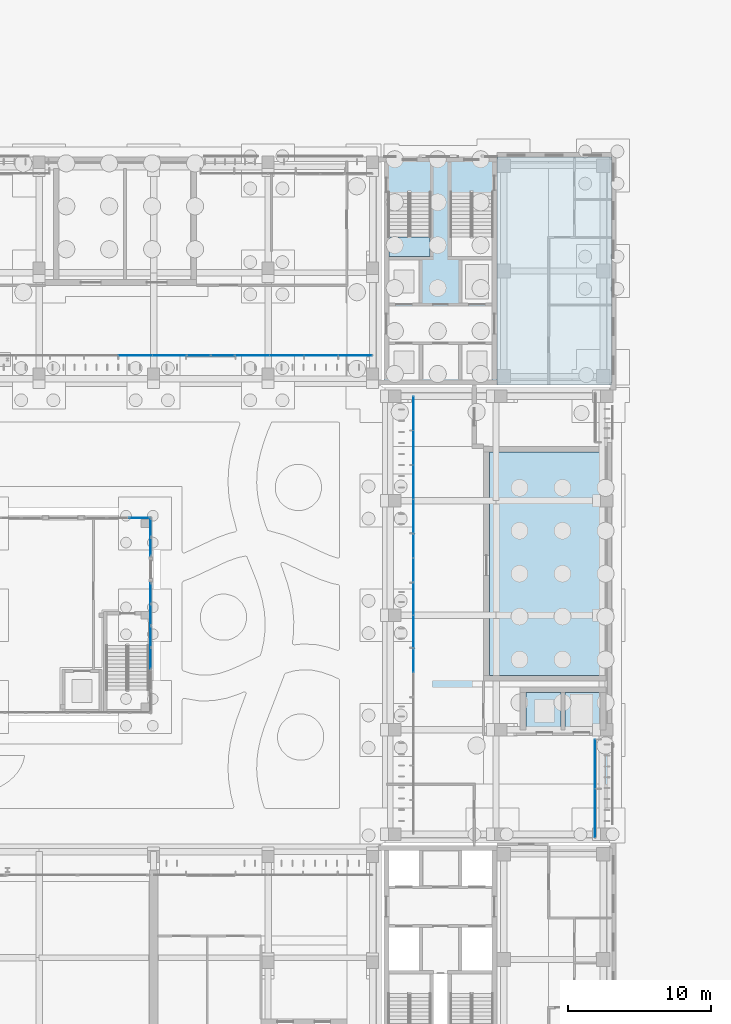
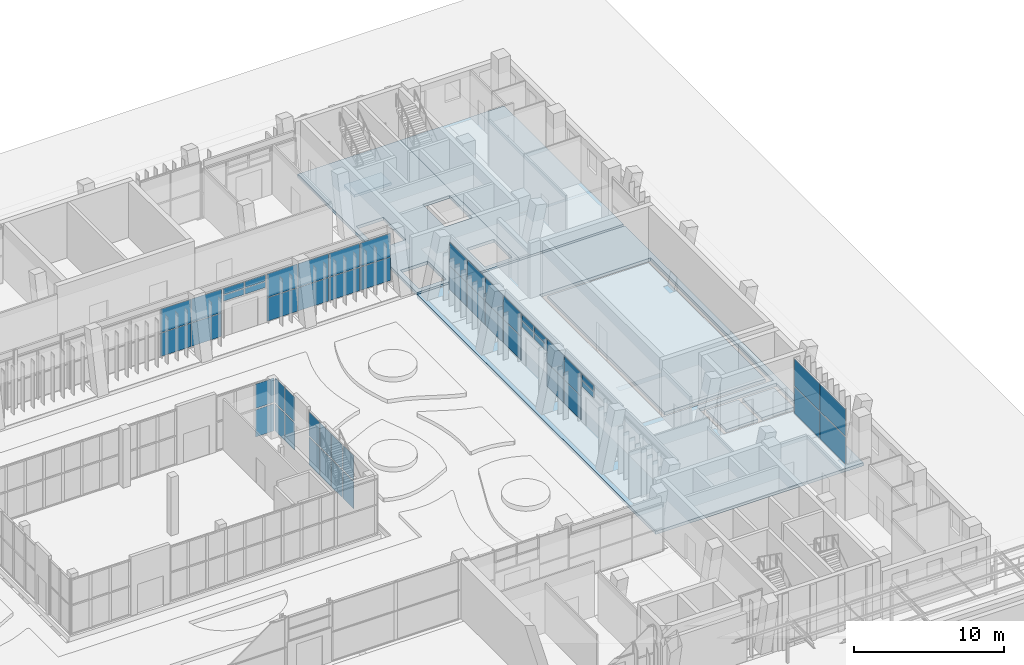
# One storey, part 100 of 144: 52 plates, 7 slabs, 12 elements without a shape of their own.
"""IFC4 building model written with IfcOpenShell, lengths in metres."""

from ifc_helpers import new_model, si_unit, direction, frame, origin, origin_2d, place, context, subcontext, project, spatial, polyline, rectangle, outline, extrude, material, layer, layer_set, type_object, element, aggregate, save


model = new_model("IFC4")

# Units and contexts
model_context = context("Model", 3, precision=1e-05, world=origin(), true_north=direction((0.0, 1.0)))
body_context = subcontext(model_context, "Body", "Model", "MODEL_VIEW")
ifc_project = project(units=[si_unit("LENGTHUNIT", "METRE"), si_unit("AREAUNIT", "SQUARE_METRE"), si_unit("VOLUMEUNIT", "CUBIC_METRE"), si_unit("PLANEANGLEUNIT", "RADIAN"), si_unit("MASSUNIT", "GRAM", prefix="KILO")], contexts=[model_context])

# Site, building, storey
site_placement = place(None, origin())
site = spatial("IfcSite", under=ifc_project, at=site_placement, CompositionType="ELEMENT")
building_placement = place(site_placement, origin())
building = spatial("IfcBuilding", under=site, at=building_placement, Name="Lantern Court Media Centre", CompositionType="ELEMENT")
storey_placement = place(building_placement, origin())
storey = spatial("IfcBuildingStorey", under=building, at=storey_placement, Name="L00", CompositionType="ELEMENT", Elevation=0.0)

# Slab
ifc_material_1 = material(Name="Concrete C40", Category="concrete")
ifc_layer_1 = layer(ifc_material_1, 0.25)
ifc_layer_set_1 = layer_set([ifc_layer_1], Name="Concrete C40")
slab_type_1 = type_object("IfcSlabType", Name="Core floor slab 250", PredefinedType="FLOOR", material=ifc_layer_set_1)
slab_1_placement = place(storey_placement, frame((0.0, 0.0, -0.25)))
element("IfcSlab", 1, at=slab_1_placement, inside=storey, type_object=slab_type_1, Name="L00 NE core ground floor", PredefinedType="FLOOR", context=body_context, shape_type="SweptSolid", body=[
    extrude(outline(polyline([(88.0, 112.0), (80.10009765625, 112.0), (80.10009765625, 96.10009765625), (88.0, 96.10009765625), (88.0, 112.0)]), holes=[polyline([(87.64990234375, 104.800048828125), (85.550048828125, 104.800048828125), (85.550048828125, 101.800048828125), (87.64990234375, 101.800048828125), (87.64990234375, 104.800048828125)]), polyline([(82.550048828125, 104.800048828125), (80.449951171875, 104.800048828125), (80.449951171875, 101.800048828125), (82.550048828125, 101.800048828125), (82.550048828125, 104.800048828125)]), polyline([(87.64990234375, 98.89990234375), (85.550048828125, 98.89990234375), (85.550048828125, 96.449951171875), (87.64990234375, 96.449951171875), (87.64990234375, 98.89990234375)]), polyline([(82.550048828125, 98.89990234375), (80.449951171875, 98.89990234375), (80.449951171875, 96.449951171875), (82.550048828125, 96.449951171875), (82.550048828125, 98.89990234375)])]), origin(), (0.0, 0.0, 1.0), 0.25),
])

# Curtain wall, plates
ifc_material_2 = material(Name="Curtain wall bay 2400")
curtain_wall_type_1 = type_object("IfcCurtainWallType", Name="Curtain wall bay 2400", PredefinedType="NOTDEFINED", material=ifc_material_2)
curtain_wall_1_placement = place(storey_placement, origin())
curtain_wall_1 = element("IfcCurtainWall", 2, at=curtain_wall_1_placement, inside=storey, type_object=curtain_wall_type_1, Name="Curtain wall N inner L00", PredefinedType="NOTDEFINED")
ifc_material_3 = material(Name="Low-iron double glazed unit glass", Category="glass")
ifc_layer_2 = layer(ifc_material_3, 0.02392578125)
ifc_layer_set_2 = layer_set([ifc_layer_2], Name="Low-iron double glazed unit glass")
plate_type_1 = type_object("IfcPlateType", Name="Curtain wall glazing unit 24", PredefinedType="CURTAIN_PANEL", material=ifc_layer_set_2)
plate_1_placement = place(storey_placement, frame((62.72509765625, 98.14990234375, 0.050048828125), z_axis=(0.0, 0.0, 1.0), x_axis=(1.0, 0.0, 0.0)))
plate_1 = element("IfcPlate", 3, at=plate_1_placement, type_object=plate_type_1, Name="CW2 panel 11.1", PredefinedType="CURTAIN_PANEL", context=body_context, shape_type="SweptSolid", body=[
    extrude(rectangle(XDim=2.333251953125, YDim=0.02392578125, at=origin_2d()), origin(), (0.0, 0.0, 1.0), 1.89990234375),
])
plate_2_placement = place(storey_placement, frame((62.72509765625, 98.14990234375, 2.0), z_axis=(0.0, 0.0, 1.0), x_axis=(1.0, 0.0, 0.0)))
plate_2 = element("IfcPlate", 4, at=plate_2_placement, type_object=plate_type_1, Name="CW2 panel 11.2", PredefinedType="CURTAIN_PANEL", context=body_context, shape_type="SweptSolid", body=[
    extrude(rectangle(XDim=2.333251953125, YDim=0.02392578125, at=origin_2d()), origin(), (0.0, 0.0, 1.0), 1.89990234375),
])
plate_3_placement = place(storey_placement, frame((65.095947265625, 98.14990234375, 0.050048828125), z_axis=(0.0, 0.0, 1.0), x_axis=(1.0, 0.0, 0.0)))
plate_3 = element("IfcPlate", 5, at=plate_3_placement, type_object=plate_type_1, Name="CW2 panel 12.1", PredefinedType="CURTAIN_PANEL", context=body_context, shape_type="SweptSolid", body=[
    extrude(rectangle(XDim=2.308349609375, YDim=0.02392578125, at=origin_2d()), origin(), (0.0, 0.0, 1.0), 1.89990234375),
])
plate_4_placement = place(storey_placement, frame((65.095947265625, 98.14990234375, 2.0), z_axis=(0.0, 0.0, 1.0), x_axis=(1.0, 0.0, 0.0)))
plate_4 = element("IfcPlate", 6, at=plate_4_placement, type_object=plate_type_1, Name="CW2 panel 12.2", PredefinedType="CURTAIN_PANEL", context=body_context, shape_type="SweptSolid", body=[
    extrude(rectangle(XDim=2.308349609375, YDim=0.02392578125, at=origin_2d()), origin(), (0.0, 0.0, 1.0), 1.89990234375),
])
aggregate(curtain_wall_1, [plate_1, plate_2, plate_3, plate_4])

curtain_wall_2_placement = place(storey_placement, origin())
curtain_wall_2 = element("IfcCurtainWall", 7, at=curtain_wall_2_placement, inside=storey, type_object=curtain_wall_type_1, Name="Curtain wall N inner L00", PredefinedType="NOTDEFINED")
plate_5_placement = place(storey_placement, frame((70.91259765625, 98.14990234375, 0.050048828125), z_axis=(0.0, 0.0, 1.0), x_axis=(1.0, 0.0, 0.0)))
plate_5 = element("IfcPlate", 8, at=plate_5_placement, type_object=plate_type_1, Name="CW2 panel 1.1", PredefinedType="CURTAIN_PANEL", context=body_context, shape_type="SweptSolid", body=[
    extrude(rectangle(XDim=2.324951171875, YDim=0.02392578125, at=origin_2d()), origin(), (0.0, 0.0, 1.0), 1.89990234375),
])
plate_6_placement = place(storey_placement, frame((70.91259765625, 98.14990234375, 2.0), z_axis=(0.0, 0.0, 1.0), x_axis=(1.0, 0.0, 0.0)))
plate_6 = element("IfcPlate", 9, at=plate_6_placement, type_object=plate_type_1, Name="CW2 panel 1.2", PredefinedType="CURTAIN_PANEL", context=body_context, shape_type="SweptSolid", body=[
    extrude(rectangle(XDim=2.324951171875, YDim=0.02392578125, at=origin_2d()), origin(), (0.0, 0.0, 1.0), 1.89990234375),
])
plate_7_placement = place(storey_placement, frame((73.300048828125, 98.14990234375, 0.050048828125), z_axis=(0.0, 0.0, 1.0), x_axis=(1.0, 0.0, 0.0)))
plate_7 = element("IfcPlate", 10, at=plate_7_placement, type_object=plate_type_1, Name="CW2 panel 2.1", PredefinedType="CURTAIN_PANEL", context=body_context, shape_type="SweptSolid", body=[
    extrude(rectangle(XDim=2.35009765625, YDim=0.02392578125, at=origin_2d()), origin(), (0.0, 0.0, 1.0), 1.89990234375),
])
plate_8_placement = place(storey_placement, frame((73.300048828125, 98.14990234375, 2.0), z_axis=(0.0, 0.0, 1.0), x_axis=(1.0, 0.0, 0.0)))
plate_8 = element("IfcPlate", 11, at=plate_8_placement, type_object=plate_type_1, Name="CW2 panel 2.2", PredefinedType="CURTAIN_PANEL", context=body_context, shape_type="SweptSolid", body=[
    extrude(rectangle(XDim=2.35009765625, YDim=0.02392578125, at=origin_2d()), origin(), (0.0, 0.0, 1.0), 1.89990234375),
])
plate_9_placement = place(storey_placement, frame((75.699951171875, 98.14990234375, 0.050048828125), z_axis=(0.0, 0.0, 1.0), x_axis=(1.0, 0.0, 0.0)))
plate_9 = element("IfcPlate", 12, at=plate_9_placement, type_object=plate_type_1, Name="CW2 panel 3.1", PredefinedType="CURTAIN_PANEL", context=body_context, shape_type="SweptSolid", body=[
    extrude(rectangle(XDim=2.35009765625, YDim=0.02392578125, at=origin_2d()), origin(), (0.0, 0.0, 1.0), 1.89990234375),
])
plate_10_placement = place(storey_placement, frame((75.699951171875, 98.14990234375, 2.0), z_axis=(0.0, 0.0, 1.0), x_axis=(1.0, 0.0, 0.0)))
plate_10 = element("IfcPlate", 13, at=plate_10_placement, type_object=plate_type_1, Name="CW2 panel 3.2", PredefinedType="CURTAIN_PANEL", context=body_context, shape_type="SweptSolid", body=[
    extrude(rectangle(XDim=2.35009765625, YDim=0.02392578125, at=origin_2d()), origin(), (0.0, 0.0, 1.0), 1.89990234375),
])
plate_11_placement = place(storey_placement, frame((78.08740234375, 98.14990234375, 0.050048828125), z_axis=(0.0, 0.0, 1.0), x_axis=(1.0, 0.0, 0.0)))
plate_11 = element("IfcPlate", 14, at=plate_11_placement, type_object=plate_type_1, Name="CW2 panel 4.1", PredefinedType="CURTAIN_PANEL", context=body_context, shape_type="SweptSolid", body=[
    extrude(rectangle(XDim=2.324951171875, YDim=0.02392578125, at=origin_2d()), origin(), (0.0, 0.0, 1.0), 1.89990234375),
])
plate_12_placement = place(storey_placement, frame((78.08740234375, 98.14990234375, 2.0), z_axis=(0.0, 0.0, 1.0), x_axis=(1.0, 0.0, 0.0)))
plate_12 = element("IfcPlate", 15, at=plate_12_placement, type_object=plate_type_1, Name="CW2 panel 4.2", PredefinedType="CURTAIN_PANEL", context=body_context, shape_type="SweptSolid", body=[
    extrude(rectangle(XDim=2.324951171875, YDim=0.02392578125, at=origin_2d()), origin(), (0.0, 0.0, 1.0), 1.89990234375),
])
aggregate(curtain_wall_2, [plate_5, plate_6, plate_7, plate_8, plate_9, plate_10, plate_11, plate_12])

curtain_wall_3_placement = place(storey_placement, origin())
curtain_wall_3 = element("IfcCurtainWall", 16, at=curtain_wall_3_placement, inside=storey, type_object=curtain_wall_type_1, Name="Curtain wall E inner L00", PredefinedType="NOTDEFINED")
plate_13_placement = place(storey_placement, frame((82.14990234375, 78.862548828125, 0.050048828125), z_axis=(0.0, 0.0, 1.0), x_axis=(0.0, 1.0, 0.0)))
plate_13 = element("IfcPlate", 17, at=plate_13_placement, type_object=plate_type_1, Name="CW2 panel 1.1", PredefinedType="CURTAIN_PANEL", context=body_context, shape_type="SweptSolid", body=[
    extrude(rectangle(XDim=2.22509765625, YDim=0.02392578125, at=origin_2d()), origin(), (0.0, 0.0, 1.0), 1.89990234375),
])
plate_14_placement = place(storey_placement, frame((82.14990234375, 78.862548828125, 2.0), z_axis=(0.0, 0.0, 1.0), x_axis=(0.0, 1.0, 0.0)))
plate_14 = element("IfcPlate", 18, at=plate_14_placement, type_object=plate_type_1, Name="CW2 panel 1.2", PredefinedType="CURTAIN_PANEL", context=body_context, shape_type="SweptSolid", body=[
    extrude(rectangle(XDim=2.22509765625, YDim=0.02392578125, at=origin_2d()), origin(), (0.0, 0.0, 1.0), 1.89990234375),
])
plate_15_placement = place(storey_placement, frame((82.14990234375, 81.137451171875, 0.050048828125), z_axis=(0.0, 0.0, 1.0), x_axis=(0.0, 1.0, 0.0)))
plate_15 = element("IfcPlate", 19, at=plate_15_placement, type_object=plate_type_1, Name="CW2 panel 2.1", PredefinedType="CURTAIN_PANEL", context=body_context, shape_type="SweptSolid", body=[
    extrude(rectangle(XDim=2.22509765625, YDim=0.02392578125, at=origin_2d()), origin(), (0.0, 0.0, 1.0), 1.89990234375),
])
plate_16_placement = place(storey_placement, frame((82.14990234375, 81.137451171875, 2.0), z_axis=(0.0, 0.0, 1.0), x_axis=(0.0, 1.0, 0.0)))
plate_16 = element("IfcPlate", 20, at=plate_16_placement, type_object=plate_type_1, Name="CW2 panel 2.2", PredefinedType="CURTAIN_PANEL", context=body_context, shape_type="SweptSolid", body=[
    extrude(rectangle(XDim=2.22509765625, YDim=0.02392578125, at=origin_2d()), origin(), (0.0, 0.0, 1.0), 1.89990234375),
])
aggregate(curtain_wall_3, [plate_13, plate_14, plate_15, plate_16])

curtain_wall_4_placement = place(storey_placement, origin())
curtain_wall_4 = element("IfcCurtainWall", 21, at=curtain_wall_4_placement, inside=storey, type_object=curtain_wall_type_1, Name="Curtain wall E inner L00", PredefinedType="NOTDEFINED")
plate_17_placement = place(storey_placement, frame((82.14990234375, 86.91259765625, 0.050048828125), z_axis=(0.0, 0.0, 1.0), x_axis=(0.0, 1.0, 0.0)))
plate_17 = element("IfcPlate", 22, at=plate_17_placement, type_object=plate_type_1, Name="CW2 panel 1.1", PredefinedType="CURTAIN_PANEL", context=body_context, shape_type="SweptSolid", body=[
    extrude(rectangle(XDim=2.324951171875, YDim=0.02392578125, at=origin_2d()), origin(), (0.0, 0.0, 1.0), 1.89990234375),
])
plate_18_placement = place(storey_placement, frame((82.14990234375, 86.91259765625, 2.0), z_axis=(0.0, 0.0, 1.0), x_axis=(0.0, 1.0, 0.0)))
plate_18 = element("IfcPlate", 23, at=plate_18_placement, type_object=plate_type_1, Name="CW2 panel 1.2", PredefinedType="CURTAIN_PANEL", context=body_context, shape_type="SweptSolid", body=[
    extrude(rectangle(XDim=2.324951171875, YDim=0.02392578125, at=origin_2d()), origin(), (0.0, 0.0, 1.0), 1.89990234375),
])
plate_19_placement = place(storey_placement, frame((82.14990234375, 89.300048828125, 0.050048828125), z_axis=(0.0, 0.0, 1.0), x_axis=(0.0, 1.0, 0.0)))
plate_19 = element("IfcPlate", 24, at=plate_19_placement, type_object=plate_type_1, Name="CW2 panel 2.1", PredefinedType="CURTAIN_PANEL", context=body_context, shape_type="SweptSolid", body=[
    extrude(rectangle(XDim=2.35009765625, YDim=0.02392578125, at=origin_2d()), origin(), (0.0, 0.0, 1.0), 1.89990234375),
])
plate_20_placement = place(storey_placement, frame((82.14990234375, 89.300048828125, 2.0), z_axis=(0.0, 0.0, 1.0), x_axis=(0.0, 1.0, 0.0)))
plate_20 = element("IfcPlate", 25, at=plate_20_placement, type_object=plate_type_1, Name="CW2 panel 2.2", PredefinedType="CURTAIN_PANEL", context=body_context, shape_type="SweptSolid", body=[
    extrude(rectangle(XDim=2.35009765625, YDim=0.02392578125, at=origin_2d()), origin(), (0.0, 0.0, 1.0), 1.89990234375),
])
plate_21_placement = place(storey_placement, frame((82.14990234375, 91.699951171875, 0.050048828125), z_axis=(0.0, 0.0, 1.0), x_axis=(0.0, 1.0, 0.0)))
plate_21 = element("IfcPlate", 26, at=plate_21_placement, type_object=plate_type_1, Name="CW2 panel 3.1", PredefinedType="CURTAIN_PANEL", context=body_context, shape_type="SweptSolid", body=[
    extrude(rectangle(XDim=2.35009765625, YDim=0.02392578125, at=origin_2d()), origin(), (0.0, 0.0, 1.0), 1.89990234375),
])
plate_22_placement = place(storey_placement, frame((82.14990234375, 91.699951171875, 2.0), z_axis=(0.0, 0.0, 1.0), x_axis=(0.0, 1.0, 0.0)))
plate_22 = element("IfcPlate", 27, at=plate_22_placement, type_object=plate_type_1, Name="CW2 panel 3.2", PredefinedType="CURTAIN_PANEL", context=body_context, shape_type="SweptSolid", body=[
    extrude(rectangle(XDim=2.35009765625, YDim=0.02392578125, at=origin_2d()), origin(), (0.0, 0.0, 1.0), 1.89990234375),
])
plate_23_placement = place(storey_placement, frame((82.14990234375, 94.08740234375, 0.050048828125), z_axis=(0.0, 0.0, 1.0), x_axis=(0.0, 1.0, 0.0)))
plate_23 = element("IfcPlate", 28, at=plate_23_placement, type_object=plate_type_1, Name="CW2 panel 4.1", PredefinedType="CURTAIN_PANEL", context=body_context, shape_type="SweptSolid", body=[
    extrude(rectangle(XDim=2.324951171875, YDim=0.02392578125, at=origin_2d()), origin(), (0.0, 0.0, 1.0), 1.89990234375),
])
plate_24_placement = place(storey_placement, frame((82.14990234375, 94.08740234375, 2.0), z_axis=(0.0, 0.0, 1.0), x_axis=(0.0, 1.0, 0.0)))
plate_24 = element("IfcPlate", 29, at=plate_24_placement, type_object=plate_type_1, Name="CW2 panel 4.2", PredefinedType="CURTAIN_PANEL", context=body_context, shape_type="SweptSolid", body=[
    extrude(rectangle(XDim=2.324951171875, YDim=0.02392578125, at=origin_2d()), origin(), (0.0, 0.0, 1.0), 1.89990234375),
])
aggregate(curtain_wall_4, [plate_17, plate_18, plate_19, plate_20, plate_21, plate_22, plate_23, plate_24])

ifc_material_4 = material(Name="Curtain wall bay 1700")
curtain_wall_type_2 = type_object("IfcCurtainWallType", Name="Curtain wall bay 1700", PredefinedType="NOTDEFINED", material=ifc_material_4)
curtain_wall_5_placement = place(storey_placement, origin())
curtain_wall_5 = element("IfcCurtainWall", 30, at=curtain_wall_5_placement, inside=storey, type_object=curtain_wall_type_2, Name="Curtain wall N inner L00", PredefinedType="NOTDEFINED")
ifc_layer_3 = layer(ifc_material_3, 0.028076171875)
ifc_layer_set_3 = layer_set([ifc_layer_3], Name="Low-iron double glazed unit glass")
plate_type_2 = type_object("IfcPlateType", Name="Curtain wall glazing unit 28", PredefinedType="CURTAIN_PANEL", material=ifc_layer_set_3)
plate_25_placement = place(storey_placement, frame((67.1650390625, 98.14990234375, 2.85986328125), z_axis=(0.0, 0.0, 1.0), x_axis=(1.0, 0.0, 0.0)))
plate_25 = element("IfcPlate", 31, at=plate_25_placement, type_object=plate_type_2, Name="CW4 panel 1.1", PredefinedType="CURTAIN_PANEL", context=body_context, shape_type="SweptSolid", body=[
    extrude(rectangle(XDim=1.610107421875, YDim=0.028076171875, at=origin_2d()), origin(), (0.0, 0.0, 1.0), 0.485107421875),
])
plate_26_placement = place(storey_placement, frame((67.1650390625, 98.14990234375, 3.40478515625), z_axis=(0.0, 0.0, 1.0), x_axis=(1.0, 0.0, 0.0)))
plate_26 = element("IfcPlate", 32, at=plate_26_placement, type_object=plate_type_2, Name="CW4 panel 1.2", PredefinedType="CURTAIN_PANEL", context=body_context, shape_type="SweptSolid", body=[
    extrude(rectangle(XDim=1.610107421875, YDim=0.028076171875, at=origin_2d()), origin(), (0.0, 0.0, 1.0), 0.485107421875),
])
plate_27_placement = place(storey_placement, frame((68.8349609375, 98.14990234375, 2.85986328125), z_axis=(0.0, 0.0, 1.0), x_axis=(1.0, 0.0, 0.0)))
plate_27 = element("IfcPlate", 33, at=plate_27_placement, type_object=plate_type_2, Name="CW4 panel 2.1", PredefinedType="CURTAIN_PANEL", context=body_context, shape_type="SweptSolid", body=[
    extrude(rectangle(XDim=1.610107421875, YDim=0.028076171875, at=origin_2d()), origin(), (0.0, 0.0, 1.0), 0.485107421875),
])
plate_28_placement = place(storey_placement, frame((68.8349609375, 98.14990234375, 3.40478515625), z_axis=(0.0, 0.0, 1.0), x_axis=(1.0, 0.0, 0.0)))
plate_28 = element("IfcPlate", 34, at=plate_28_placement, type_object=plate_type_2, Name="CW4 panel 2.2", PredefinedType="CURTAIN_PANEL", context=body_context, shape_type="SweptSolid", body=[
    extrude(rectangle(XDim=1.610107421875, YDim=0.028076171875, at=origin_2d()), origin(), (0.0, 0.0, 1.0), 0.485107421875),
])
aggregate(curtain_wall_5, [plate_25, plate_26, plate_27, plate_28])

ifc_material_5 = material(Name="Curtain wall bay 3000")
curtain_wall_type_3 = type_object("IfcCurtainWallType", Name="Curtain wall bay 3000", PredefinedType="NOTDEFINED", material=ifc_material_5)
curtain_wall_6_placement = place(storey_placement, origin())
curtain_wall_6 = element("IfcCurtainWall", 35, at=curtain_wall_6_placement, inside=storey, type_object=curtain_wall_type_3, Name="Curtain wall E outer L00", PredefinedType="NOTDEFINED")
plate_29_placement = place(storey_placement, frame((94.85009765625, 66.16748046875, 0.06005859375), z_axis=(0.0, 0.0, 1.0), x_axis=(0.0, 1.0, 0.0)))
plate_29 = element("IfcPlate", 36, at=plate_29_placement, type_object=plate_type_2, Name="CW1 panel 1.1", PredefinedType="CURTAIN_PANEL", context=body_context, shape_type="SweptSolid", body=[
    extrude(rectangle(XDim=3.375, YDim=0.028076171875, at=origin_2d()), origin(), (0.0, 0.0, 1.0), 2.199951171875),
])
plate_30_placement = place(storey_placement, frame((94.85009765625, 66.16748046875, 2.31982421875), z_axis=(0.0, 0.0, 1.0), x_axis=(0.0, 1.0, 0.0)))
plate_30 = element("IfcPlate", 37, at=plate_30_placement, type_object=plate_type_2, Name="CW1 panel 1.2", PredefinedType="CURTAIN_PANEL", context=body_context, shape_type="SweptSolid", body=[
    extrude(rectangle(XDim=3.375, YDim=0.028076171875, at=origin_2d()), origin(), (0.0, 0.0, 1.0), 2.199951171875),
])
plate_31_placement = place(storey_placement, frame((94.85009765625, 69.6025390625, 0.06005859375), z_axis=(0.0, 0.0, 1.0), x_axis=(0.0, 1.0, 0.0)))
plate_31 = element("IfcPlate", 38, at=plate_31_placement, type_object=plate_type_2, Name="CW1 panel 2.1", PredefinedType="CURTAIN_PANEL", context=body_context, shape_type="SweptSolid", body=[
    extrude(rectangle(XDim=3.375, YDim=0.028076171875, at=origin_2d()), origin(), (0.0, 0.0, 1.0), 2.199951171875),
])
plate_32_placement = place(storey_placement, frame((94.85009765625, 69.6025390625, 2.31982421875), z_axis=(0.0, 0.0, 1.0), x_axis=(0.0, 1.0, 0.0)))
plate_32 = element("IfcPlate", 39, at=plate_32_placement, type_object=plate_type_2, Name="CW1 panel 2.2", PredefinedType="CURTAIN_PANEL", context=body_context, shape_type="SweptSolid", body=[
    extrude(rectangle(XDim=3.375, YDim=0.028076171875, at=origin_2d()), origin(), (0.0, 0.0, 1.0), 2.199951171875),
])
aggregate(curtain_wall_6, [plate_29, plate_30, plate_31, plate_32])

curtain_wall_7_placement = place(storey_placement, origin())
curtain_wall_7 = element("IfcCurtainWall", 40, at=curtain_wall_7_placement, inside=storey, type_object=curtain_wall_type_2, Name="Curtain wall E inner L00", PredefinedType="NOTDEFINED")
plate_33_placement = place(storey_placement, frame((82.14990234375, 76.8349609375, 2.85986328125), z_axis=(0.0, 0.0, 1.0), x_axis=(0.0, 1.0, 0.0)))
plate_33 = element("IfcPlate", 41, at=plate_33_placement, type_object=plate_type_2, Name="CW4 panel 2.1", PredefinedType="CURTAIN_PANEL", context=body_context, shape_type="SweptSolid", body=[
    extrude(rectangle(XDim=1.610107421875, YDim=0.028076171875, at=origin_2d()), origin(), (0.0, 0.0, 1.0), 0.485107421875),
])
plate_34_placement = place(storey_placement, frame((82.14990234375, 76.8349609375, 3.40478515625), z_axis=(0.0, 0.0, 1.0), x_axis=(0.0, 1.0, 0.0)))
plate_34 = element("IfcPlate", 42, at=plate_34_placement, type_object=plate_type_2, Name="CW4 panel 2.2", PredefinedType="CURTAIN_PANEL", context=body_context, shape_type="SweptSolid", body=[
    extrude(rectangle(XDim=1.610107421875, YDim=0.028076171875, at=origin_2d()), origin(), (0.0, 0.0, 1.0), 0.485107421875),
])
aggregate(curtain_wall_7, [plate_33, plate_34])

curtain_wall_8_placement = place(storey_placement, origin())
curtain_wall_8 = element("IfcCurtainWall", 43, at=curtain_wall_8_placement, inside=storey, type_object=curtain_wall_type_2, Name="Curtain wall E inner L00", PredefinedType="NOTDEFINED")
plate_35_placement = place(storey_placement, frame((82.14990234375, 83.1650390625, 2.85986328125), z_axis=(0.0, 0.0, 1.0), x_axis=(0.0, 1.0, 0.0)))
plate_35 = element("IfcPlate", 44, at=plate_35_placement, type_object=plate_type_2, Name="CW4 panel 1.1", PredefinedType="CURTAIN_PANEL", context=body_context, shape_type="SweptSolid", body=[
    extrude(rectangle(XDim=1.610107421875, YDim=0.028076171875, at=origin_2d()), origin(), (0.0, 0.0, 1.0), 0.485107421875),
])
plate_36_placement = place(storey_placement, frame((82.14990234375, 83.1650390625, 3.40478515625), z_axis=(0.0, 0.0, 1.0), x_axis=(0.0, 1.0, 0.0)))
plate_36 = element("IfcPlate", 45, at=plate_36_placement, type_object=plate_type_2, Name="CW4 panel 1.2", PredefinedType="CURTAIN_PANEL", context=body_context, shape_type="SweptSolid", body=[
    extrude(rectangle(XDim=1.610107421875, YDim=0.028076171875, at=origin_2d()), origin(), (0.0, 0.0, 1.0), 0.485107421875),
])
plate_37_placement = place(storey_placement, frame((82.14990234375, 84.8349609375, 2.85986328125), z_axis=(0.0, 0.0, 1.0), x_axis=(0.0, 1.0, 0.0)))
plate_37 = element("IfcPlate", 46, at=plate_37_placement, type_object=plate_type_2, Name="CW4 panel 2.1", PredefinedType="CURTAIN_PANEL", context=body_context, shape_type="SweptSolid", body=[
    extrude(rectangle(XDim=1.610107421875, YDim=0.028076171875, at=origin_2d()), origin(), (0.0, 0.0, 1.0), 0.485107421875),
])
plate_38_placement = place(storey_placement, frame((82.14990234375, 84.8349609375, 3.40478515625), z_axis=(0.0, 0.0, 1.0), x_axis=(0.0, 1.0, 0.0)))
plate_38 = element("IfcPlate", 47, at=plate_38_placement, type_object=plate_type_2, Name="CW4 panel 2.2", PredefinedType="CURTAIN_PANEL", context=body_context, shape_type="SweptSolid", body=[
    extrude(rectangle(XDim=1.610107421875, YDim=0.028076171875, at=origin_2d()), origin(), (0.0, 0.0, 1.0), 0.485107421875),
])
aggregate(curtain_wall_8, [plate_35, plate_36, plate_37, plate_38])

ifc_material_6 = material(Name="Aluminium and glass", Category="aluminium")
ifc_layer_4 = layer(ifc_material_6, 0.14990234375)
ifc_layer_set_4 = layer_set([ifc_layer_4], Name="Aluminium and glass")
curtain_wall_type_4 = type_object("IfcCurtainWallType", Name="Hall lancet glazing", PredefinedType="NOTDEFINED", material=ifc_layer_set_4)
curtain_wall_9_placement = place(storey_placement, origin())
curtain_wall_9 = element("IfcCurtainWall", 48, at=curtain_wall_9_placement, inside=storey, type_object=curtain_wall_type_4, Name="Press box glazing N 2", PredefinedType="NOTDEFINED")
ifc_material_7 = material(Name="Laminated glass 6+6", Category="glass")
ifc_layer_5 = layer(ifc_material_7, 0.028076171875)
ifc_layer_set_5 = layer_set([ifc_layer_5], Name="Laminated glass 6+6")
plate_type_3 = type_object("IfcPlateType", Name="HP", PredefinedType="CURTAIN_PANEL", material=ifc_layer_set_5)
plate_39_placement = place(storey_placement, frame((63.018310546875, 86.800048828125, 0.1201171875), z_axis=(0.0, 0.0, 1.0), x_axis=(1.0, 0.0, 0.0)))
plate_39 = element("IfcPlate", 49, at=plate_39_placement, type_object=plate_type_3, Name="HCW-PN2 panel 3.1", PredefinedType="CURTAIN_PANEL", context=body_context, shape_type="SweptSolid", body=[
    extrude(rectangle(XDim=1.443359375, YDim=0.028076171875, at=origin_2d()), origin(), (0.0, 0.0, 1.0), 2.219970703125),
])
plate_40_placement = place(storey_placement, frame((63.018310546875, 86.800048828125, 2.4599609375), z_axis=(0.0, 0.0, 1.0), x_axis=(1.0, 0.0, 0.0)))
plate_40 = element("IfcPlate", 50, at=plate_40_placement, type_object=plate_type_3, Name="HCW-PN2 panel 3.2", PredefinedType="CURTAIN_PANEL", context=body_context, shape_type="SweptSolid", body=[
    extrude(rectangle(XDim=1.443359375, YDim=0.028076171875, at=origin_2d()), origin(), (0.0, 0.0, 1.0), 1.969970703125),
])
aggregate(curtain_wall_9, [plate_39, plate_40])

curtain_wall_10_placement = place(storey_placement, origin())
curtain_wall_10 = element("IfcCurtainWall", 51, at=curtain_wall_10_placement, inside=storey, type_object=curtain_wall_type_4, Name="Press box glazing E 1", PredefinedType="NOTDEFINED")
plate_41_placement = place(storey_placement, frame((63.800048828125, 76.99169921875, 0.1201171875), z_axis=(0.0, 0.0, 1.0), x_axis=(0.0, 1.0, 0.0)))
plate_41 = element("IfcPlate", 52, at=plate_41_placement, type_object=plate_type_3, Name="HCW-PE1 panel 3.1", PredefinedType="CURTAIN_PANEL", context=body_context, shape_type="SweptSolid", body=[
    extrude(rectangle(XDim=1.456787109375, YDim=0.028076171875, at=origin_2d()), origin(), (0.0, 0.0, 1.0), 2.219970703125),
])
plate_42_placement = place(storey_placement, frame((63.800048828125, 76.99169921875, 2.4599609375), z_axis=(0.0, 0.0, 1.0), x_axis=(0.0, 1.0, 0.0)))
plate_42 = element("IfcPlate", 53, at=plate_42_placement, type_object=plate_type_3, Name="HCW-PE1 panel 3.2", PredefinedType="CURTAIN_PANEL", context=body_context, shape_type="SweptSolid", body=[
    extrude(rectangle(XDim=1.456787109375, YDim=0.028076171875, at=origin_2d()), origin(), (0.0, 0.0, 1.0), 1.969970703125),
])
plate_43_placement = place(storey_placement, frame((63.800048828125, 78.50830078125, 0.1201171875), z_axis=(0.0, 0.0, 1.0), x_axis=(0.0, 1.0, 0.0)))
plate_43 = element("IfcPlate", 54, at=plate_43_placement, type_object=plate_type_3, Name="HCW-PE1 panel 4.1", PredefinedType="CURTAIN_PANEL", context=body_context, shape_type="SweptSolid", body=[
    extrude(rectangle(XDim=1.456787109375, YDim=0.028076171875, at=origin_2d()), origin(), (0.0, 0.0, 1.0), 2.219970703125),
])
plate_44_placement = place(storey_placement, frame((63.800048828125, 78.50830078125, 2.4599609375), z_axis=(0.0, 0.0, 1.0), x_axis=(0.0, 1.0, 0.0)))
plate_44 = element("IfcPlate", 55, at=plate_44_placement, type_object=plate_type_3, Name="HCW-PE1 panel 4.2", PredefinedType="CURTAIN_PANEL", context=body_context, shape_type="SweptSolid", body=[
    extrude(rectangle(XDim=1.456787109375, YDim=0.028076171875, at=origin_2d()), origin(), (0.0, 0.0, 1.0), 1.969970703125),
])
plate_45_placement = place(storey_placement, frame((63.800048828125, 80.02490234375, 0.1201171875), z_axis=(0.0, 0.0, 1.0), x_axis=(0.0, 1.0, 0.0)))
plate_45 = element("IfcPlate", 56, at=plate_45_placement, type_object=plate_type_3, Name="HCW-PE1 panel 5.1", PredefinedType="CURTAIN_PANEL", context=body_context, shape_type="SweptSolid", body=[
    extrude(rectangle(XDim=1.456787109375, YDim=0.028076171875, at=origin_2d()), origin(), (0.0, 0.0, 1.0), 2.219970703125),
])
plate_46_placement = place(storey_placement, frame((63.800048828125, 80.02490234375, 2.4599609375), z_axis=(0.0, 0.0, 1.0), x_axis=(0.0, 1.0, 0.0)))
plate_46 = element("IfcPlate", 57, at=plate_46_placement, type_object=plate_type_3, Name="HCW-PE1 panel 5.2", PredefinedType="CURTAIN_PANEL", context=body_context, shape_type="SweptSolid", body=[
    extrude(rectangle(XDim=1.456787109375, YDim=0.028076171875, at=origin_2d()), origin(), (0.0, 0.0, 1.0), 1.969970703125),
])
plate_47_placement = place(storey_placement, frame((63.800048828125, 81.526611328125, 0.1201171875), z_axis=(0.0, 0.0, 1.0), x_axis=(0.0, 1.0, 0.0)))
plate_47 = element("IfcPlate", 58, at=plate_47_placement, type_object=plate_type_3, Name="HCW-PE1 panel 6.1", PredefinedType="CURTAIN_PANEL", context=body_context, shape_type="SweptSolid", body=[
    extrude(rectangle(XDim=1.4267578125, YDim=0.028076171875, at=origin_2d()), origin(), (0.0, 0.0, 1.0), 2.219970703125),
])
plate_48_placement = place(storey_placement, frame((63.800048828125, 81.526611328125, 2.4599609375), z_axis=(0.0, 0.0, 1.0), x_axis=(0.0, 1.0, 0.0)))
plate_48 = element("IfcPlate", 59, at=plate_48_placement, type_object=plate_type_3, Name="HCW-PE1 panel 6.2", PredefinedType="CURTAIN_PANEL", context=body_context, shape_type="SweptSolid", body=[
    extrude(rectangle(XDim=1.4267578125, YDim=0.028076171875, at=origin_2d()), origin(), (0.0, 0.0, 1.0), 1.969970703125),
])
aggregate(curtain_wall_10, [plate_41, plate_42, plate_43, plate_44, plate_45, plate_46, plate_47, plate_48])

curtain_wall_11_placement = place(storey_placement, origin())
curtain_wall_11 = element("IfcCurtainWall", 60, at=curtain_wall_11_placement, inside=storey, type_object=curtain_wall_type_4, Name="Press box glazing E 2", PredefinedType="NOTDEFINED")
plate_49_placement = place(storey_placement, frame((63.800048828125, 84.7900390625, 0.1201171875), z_axis=(0.0, 0.0, 1.0), x_axis=(0.0, 1.0, 0.0)))
plate_49 = element("IfcPlate", 61, at=plate_49_placement, type_object=plate_type_3, Name="HCW-PE2 panel 1.1", PredefinedType="CURTAIN_PANEL", context=body_context, shape_type="SweptSolid", body=[
    extrude(rectangle(XDim=1.260009765625, YDim=0.028076171875, at=origin_2d()), origin(), (0.0, 0.0, 1.0), 2.219970703125),
])
plate_50_placement = place(storey_placement, frame((63.800048828125, 84.7900390625, 2.4599609375), z_axis=(0.0, 0.0, 1.0), x_axis=(0.0, 1.0, 0.0)))
plate_50 = element("IfcPlate", 62, at=plate_50_placement, type_object=plate_type_3, Name="HCW-PE2 panel 1.2", PredefinedType="CURTAIN_PANEL", context=body_context, shape_type="SweptSolid", body=[
    extrude(rectangle(XDim=1.260009765625, YDim=0.028076171875, at=origin_2d()), origin(), (0.0, 0.0, 1.0), 1.969970703125),
])
plate_51_placement = place(storey_placement, frame((63.800048828125, 86.110107421875, 0.1201171875), z_axis=(0.0, 0.0, 1.0), x_axis=(0.0, 1.0, 0.0)))
plate_51 = element("IfcPlate", 63, at=plate_51_placement, type_object=plate_type_3, Name="HCW-PE2 panel 2.1", PredefinedType="CURTAIN_PANEL", context=body_context, shape_type="SweptSolid", body=[
    extrude(rectangle(XDim=1.260009765625, YDim=0.028076171875, at=origin_2d()), origin(), (0.0, 0.0, 1.0), 2.219970703125),
])
plate_52_placement = place(storey_placement, frame((63.800048828125, 86.110107421875, 2.4599609375), z_axis=(0.0, 0.0, 1.0), x_axis=(0.0, 1.0, 0.0)))
plate_52 = element("IfcPlate", 64, at=plate_52_placement, type_object=plate_type_3, Name="HCW-PE2 panel 2.2", PredefinedType="CURTAIN_PANEL", context=body_context, shape_type="SweptSolid", body=[
    extrude(rectangle(XDim=1.260009765625, YDim=0.028076171875, at=origin_2d()), origin(), (0.0, 0.0, 1.0), 1.969970703125),
])
aggregate(curtain_wall_11, [plate_49, plate_50, plate_51, plate_52])

# Slabs
ifc_material_8 = material(Name="Concrete C35", Category="concrete")
ifc_layer_6 = layer(ifc_material_8, 0.25)
ifc_layer_set_6 = layer_set([ifc_layer_6], Name="Concrete C35")
slab_type_2 = type_object("IfcSlabType", Name="RC GROUND SLAB 250", PredefinedType="BASESLAB", material=ifc_layer_set_6)
slab_2_placement = place(storey_placement, frame((0.0, 0.0, -0.25)))
element("IfcSlab", 65, at=slab_2_placement, inside=storey, type_object=slab_type_2, Name="SL-NE-L00", PredefinedType="BASESLAB", context=body_context, shape_type="SweptSolid", body=[
    extrude(outline(polyline([(96.0, 112.0), (96.0, 96.10009765625), (88.0, 96.10009765625), (88.0, 96.449951171875), (88.0, 111.64990234375), (88.0, 112.0), (96.0, 112.0)])), origin(), (0.0, 0.0, 1.0), 0.25),
])
slab_3_placement = place(storey_placement, frame((0.0, 0.0, -0.25)))
element("IfcSlab", 66, at=slab_3_placement, inside=storey, type_object=slab_type_2, Name="SL-E-L00", PredefinedType="BASESLAB", context=body_context, shape_type="SweptSolid", body=[
    extrude(outline(polyline([(80.0, 64.10009765625), (80.0, 95.89990234375), (96.0, 95.89990234375), (96.0, 64.10009765625), (80.0, 64.10009765625)]), holes=[polyline([(95.60009765625, 71.60009765625), (95.60009765625, 72.0), (95.60009765625, 74.60009765625), (95.60009765625, 75.0), (89.60009765625, 75.0), (89.60009765625, 74.60009765625), (89.60009765625, 72.0), (89.60009765625, 71.60009765625), (95.60009765625, 71.60009765625)]), polyline([(95.60009765625, 91.800048828125), (87.050048828125, 91.800048828125), (87.050048828125, 91.39990234375), (87.050048828125, 75.800048828125), (87.050048828125, 75.39990234375), (95.60009765625, 75.39990234375), (95.60009765625, 75.800048828125), (95.60009765625, 91.39990234375), (95.60009765625, 91.800048828125)])]), origin(), (0.0, 0.0, 1.0), 0.25),
])
slab_4_placement = place(storey_placement, frame((0.0, 0.0, -0.25)))
element("IfcSlab", 67, at=slab_4_placement, inside=storey, type_object=slab_type_2, Name="SL-E-L00-2", PredefinedType="BASESLAB", context=body_context, shape_type="SweptSolid", body=[
    extrude(outline(polyline([(92.449951171875, 72.0), (90.0, 72.0), (90.0, 74.60009765625), (92.449951171875, 74.60009765625), (92.449951171875, 72.0)])), origin(), (0.0, 0.0, 1.0), 0.25),
])
slab_5_placement = place(storey_placement, frame((0.0, 0.0, -0.25)))
element("IfcSlab", 68, at=slab_5_placement, inside=storey, type_object=slab_type_2, Name="SL-E-L00-3", PredefinedType="BASESLAB", context=body_context, shape_type="SweptSolid", body=[
    extrude(outline(polyline([(95.199951171875, 72.0), (92.75, 72.0), (92.75, 74.60009765625), (95.199951171875, 74.60009765625), (95.199951171875, 72.0)])), origin(), (0.0, 0.0, 1.0), 0.25),
])
slab_6_placement = place(storey_placement, frame((0.0, 0.0, -0.25)))
element("IfcSlab", 69, at=slab_6_placement, inside=storey, type_object=slab_type_2, Name="SL-E-L00-4", PredefinedType="BASESLAB", context=body_context, shape_type="SweptSolid", body=[
    extrude(outline(polyline([(95.199951171875, 91.39990234375), (95.199951171875, 75.800048828125), (87.449951171875, 75.800048828125), (87.449951171875, 91.39990234375), (95.199951171875, 91.39990234375)])), origin(), (0.0, 0.0, 1.0), 0.25),
])

# Stair, slab
stair_type = type_object("IfcStairType", Name="Exit stair 1350", PredefinedType="HALF_TURN_STAIR", material=ifc_material_1)
stair_placement = place(storey_placement, origin())
stair = element("IfcStair", 70, at=stair_placement, inside=storey, type_object=stair_type, Name="L00 NE exit stair B", PredefinedType="HALF_TURN_STAIR")
ifc_layer_7 = layer(ifc_material_1, 0.199951171875)
ifc_layer_set_7 = layer_set([ifc_layer_7], Name="Concrete C40")
slab_type_3 = type_object("IfcSlabType", Name="Stair landing RC 200", PredefinedType="LANDING", material=ifc_layer_set_7)
slab_7_placement = place(storey_placement, frame((0.0, 0.0, 2.199951171875)))
slab_7 = element("IfcSlab", 71, at=slab_7_placement, type_object=slab_type_3, Name="ST-NEB landing 1", PredefinedType="LANDING", context=body_context, shape_type="SweptSolid", body=[
    extrude(outline(polyline([(80.449951171875, 106.429931640625), (80.449951171875, 105.050048828125), (83.300048828125, 105.050048828125), (83.300048828125, 106.429931640625), (80.449951171875, 106.429931640625)])), origin(), (0.0, 0.0, 1.0), 0.199951171875),
])
aggregate(stair, [slab_7])

save(model, "model.ifc")
